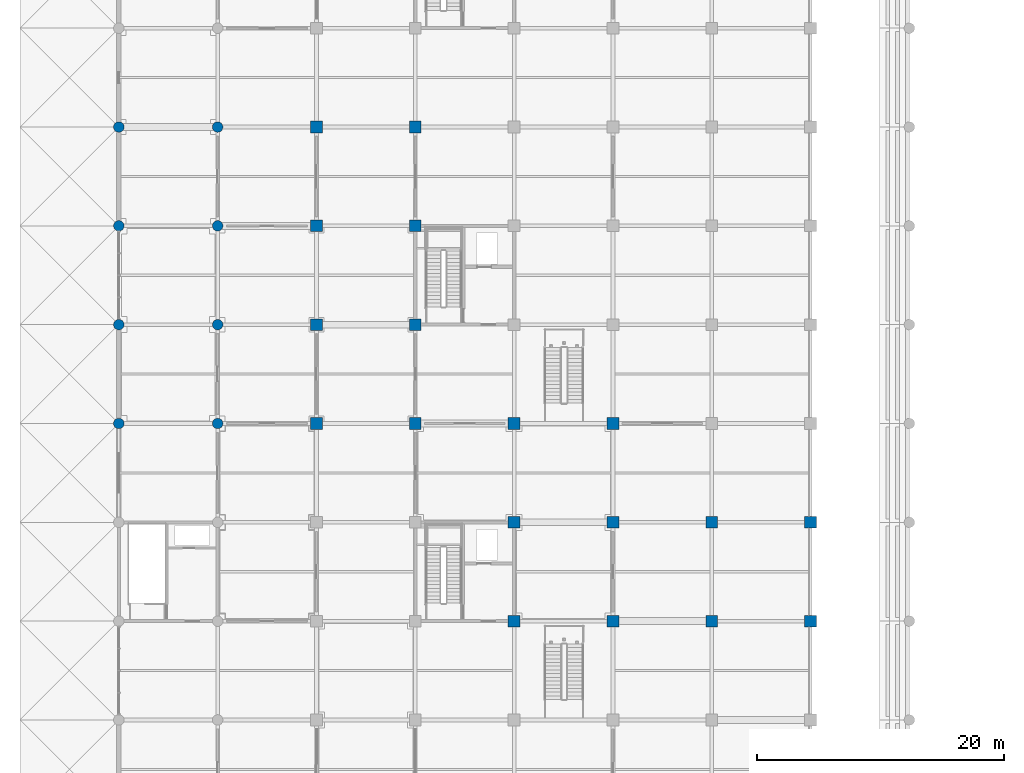
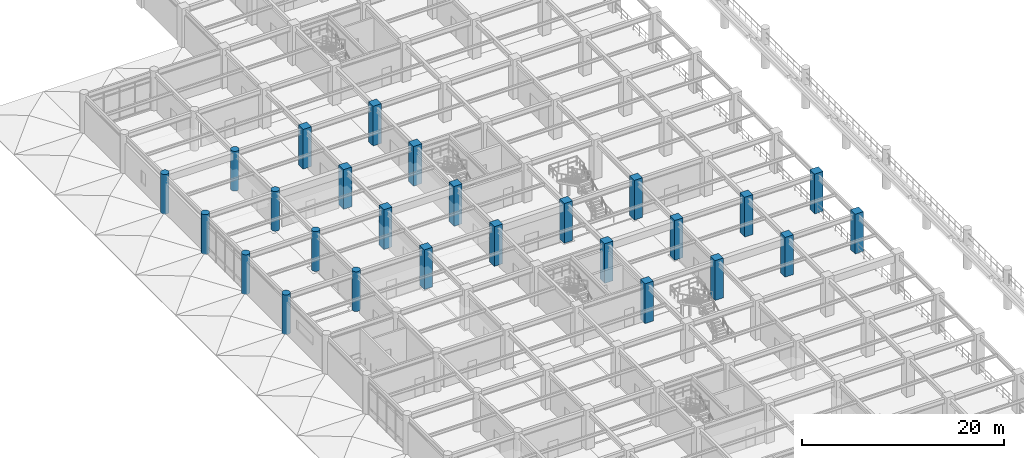
# One storey, part 3 of 109: 26 columns.
"""IFC4 building model written with IfcOpenShell, lengths in metres."""

from ifc_helpers import new_model, si_unit, direction, frame, origin, origin_2d, place, context, subcontext, project, spatial, rectangle, circle, extrude, material, material_profile, profile_set, type_object, element, save


model = new_model("IFC4")

# Units and contexts
model_context = context("Model", 3, precision=1e-05, world=origin(), true_north=direction((0.0, 1.0)))
body_context = subcontext(model_context, "Body", "Model", "MODEL_VIEW")
ifc_project = project(units=[si_unit("LENGTHUNIT", "METRE"), si_unit("AREAUNIT", "SQUARE_METRE"), si_unit("VOLUMEUNIT", "CUBIC_METRE"), si_unit("PLANEANGLEUNIT", "RADIAN"), si_unit("MASSUNIT", "GRAM", prefix="KILO")], contexts=[model_context])

# Site, building, storey
site_placement = place(None, origin())
site = spatial("IfcSite", under=ifc_project, at=site_placement, CompositionType="ELEMENT")
building_placement = place(site_placement, origin())
building = spatial("IfcBuilding", under=site, at=building_placement, Name="Haebicheon Civic Stadium", CompositionType="ELEMENT")
storey_placement = place(building_placement, frame((0.0, 0.0, 9.60009765625)))
storey = spatial("IfcBuildingStorey", under=building, at=storey_placement, Name="L03", CompositionType="ELEMENT", Elevation=9.60009765625)

# Columns
ifc_material_1 = material(Name="Concrete C40/50", Category="concrete")
ifc_material_profile_1 = material_profile(ifc_material_1, rectangle(XDim=0.949951171875, YDim=0.949951171875, at=origin_2d()), Name="RC-COL-950x950")
ifc_profile_set_1 = profile_set([ifc_material_profile_1], Name="Concrete C40/50")
column_type_1 = type_object("IfcColumnType", Name="COL-RC-950", PredefinedType="COLUMN", material=ifc_profile_set_1)
for number, where, z_axis, x_axis, name in (
    (1, (24.0, 96.0, 0.0), (0.0, 0.0, 1.0), (1.0, 0.0, 0.0), "L03 column 4/N"),
    (2, (24.0, 104.0, 0.0), (0.0, 0.0, 1.0), (1.0, 0.0, 0.0), "L03 column 4/P"),
    (3, (24.0, 112.0, 0.0), (0.0, 0.0, 1.0), (1.0, 0.0, 0.0), "L03 column 4/Q"),
    (4, (24.0, 120.0, 0.0), (0.0, 0.0, 1.0), (1.0, 0.0, 0.0), "L03 column 4/R"),
    (5, (32.0, 96.0, 0.0), (0.0, 0.0, 1.0), (1.0, 0.0, 0.0), "L03 column 5/N"),
    (6, (32.0, 104.0, 0.0), (0.0, 0.0, 1.0), (1.0, 0.0, 0.0), "L03 column 5/P"),
    (7, (32.0, 112.0, 0.0), (0.0, 0.0, 1.0), (1.0, 0.0, 0.0), "L03 column 5/Q"),
    (8, (32.0, 120.0, 0.0), (0.0, 0.0, 1.0), (1.0, 0.0, 0.0), "L03 column 5/R"),
    (9, (40.0, 80.0, 0.0), (0.0, 0.0, 1.0), (1.0, 0.0, 0.0), "L03 column 6/L"),
    (10, (40.0, 88.0, 0.0), (0.0, 0.0, 1.0), (1.0, 0.0, 0.0), "L03 column 6/M"),
    (11, (40.0, 96.0, 0.0), (0.0, 0.0, 1.0), (1.0, 0.0, 0.0), "L03 column 6/N"),
    (12, (48.0, 80.0, 0.0), (0.0, 0.0, 1.0), (1.0, 0.0, 0.0), "L03 column 7/L"),
    (13, (48.0, 88.0, 0.0), (0.0, 0.0, 1.0), (1.0, 0.0, 0.0), "L03 column 7/M"),
    (14, (48.0, 96.0, 0.0), (0.0, 0.0, 1.0), (1.0, 0.0, 0.0), "L03 column 7/N"),
    (15, (56.0, 80.0, 0.0), (0.0, 0.0, 1.0), (1.0, 0.0, 0.0), "L03 column 8/L"),
    (16, (56.0, 88.0, 0.0), (0.0, 0.0, 1.0), (1.0, 0.0, 0.0), "L03 column 8/M"),
    (17, (64.0, 80.0, 0.0), (0.0, 0.0, 1.0), (1.0, 0.0, 0.0), "L03 column 9/L"),
    (18, (64.0, 88.0, 0.0), (0.0, 0.0, 1.0), (1.0, 0.0, 0.0), "L03 column 9/M"),
):
    element("IfcColumn", number, at=place(storey_placement, frame(where, z_axis=z_axis, x_axis=x_axis)), inside=storey, type_object=column_type_1, material=ifc_profile_set_1, Name=name, PredefinedType="COLUMN", context=body_context, shape_type="SweptSolid", body=[
        extrude(rectangle(XDim=0.949951171875, YDim=0.949951171875, at=origin_2d()), origin(), (0.0, 0.0, 1.0), 4.7998046875),
    ])
ifc_material_2 = material(Name="Concrete C40/50", Category="concrete")
ifc_material_profile_2 = material_profile(ifc_material_2, circle(Radius=0.425048828125, at=origin_2d()), Name="RC-COL-D850")
ifc_profile_set_2 = profile_set([ifc_material_profile_2], Name="Concrete C40/50")
column_type_2 = type_object("IfcColumnType", Name="COL-RC-D850", PredefinedType="COLUMN", material=ifc_profile_set_2)
for number, where, z_axis, x_axis, name in (
    (19, (8.0, 96.0, 0.0), (0.0, 0.0, 1.0), (1.0, 0.0, 0.0), "L03 column 2/N"),
    (20, (8.0, 104.0, 0.0), (0.0, 0.0, 1.0), (1.0, 0.0, 0.0), "L03 column 2/P"),
    (21, (8.0, 112.0, 0.0), (0.0, 0.0, 1.0), (1.0, 0.0, 0.0), "L03 column 2/Q"),
    (22, (8.0, 120.0, 0.0), (0.0, 0.0, 1.0), (1.0, 0.0, 0.0), "L03 column 2/R"),
    (23, (16.0, 96.0, 0.0), (0.0, 0.0, 1.0), (1.0, 0.0, 0.0), "L03 column 3/N"),
    (24, (16.0, 104.0, 0.0), (0.0, 0.0, 1.0), (1.0, 0.0, 0.0), "L03 column 3/P"),
    (25, (16.0, 112.0, 0.0), (0.0, 0.0, 1.0), (1.0, 0.0, 0.0), "L03 column 3/Q"),
    (26, (16.0, 120.0, 0.0), (0.0, 0.0, 1.0), (1.0, 0.0, 0.0), "L03 column 3/R"),
):
    element("IfcColumn", number, at=place(storey_placement, frame(where, z_axis=z_axis, x_axis=x_axis)), inside=storey, type_object=column_type_2, material=ifc_profile_set_2, Name=name, PredefinedType="COLUMN", context=body_context, shape_type="SweptSolid", body=[
        extrude(circle(Radius=0.425048828125, at=origin_2d()), origin(), (0.0, 0.0, 1.0), 4.7998046875),
    ])

save(model, "model.ifc")
